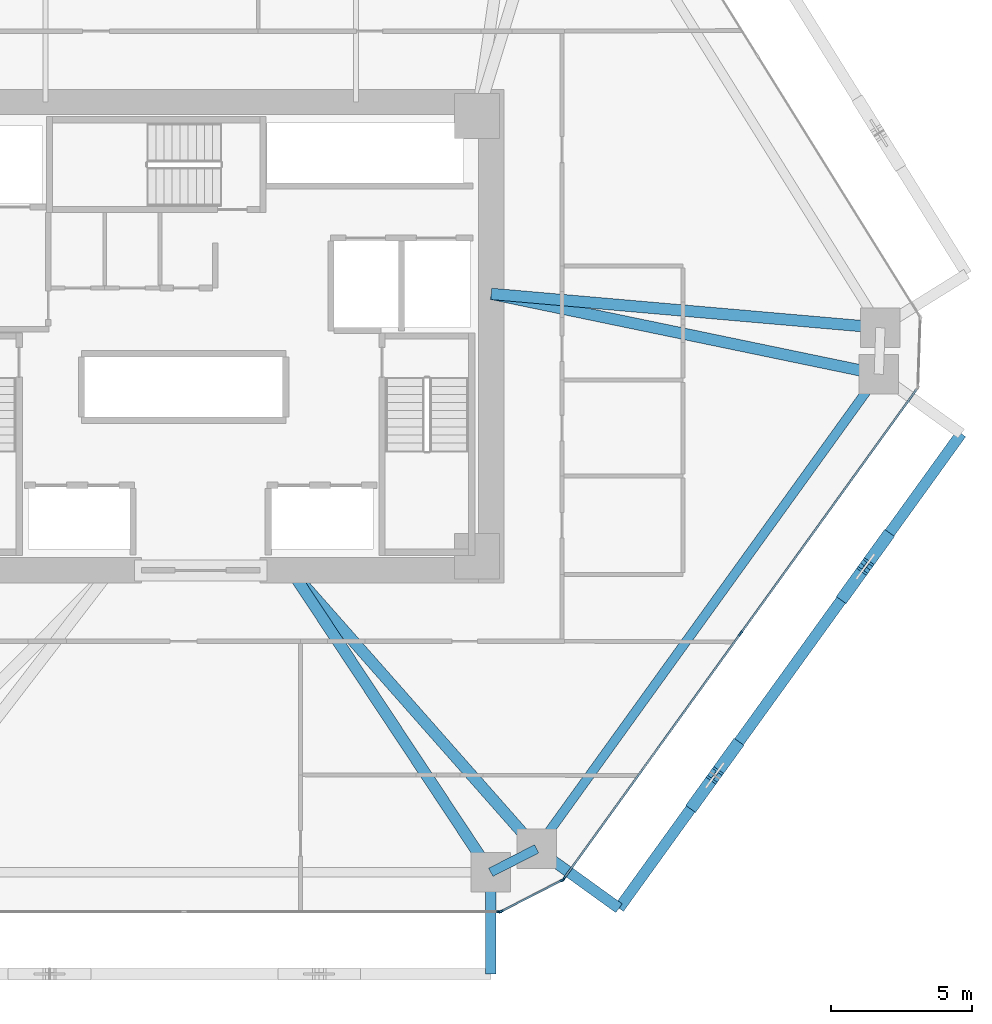
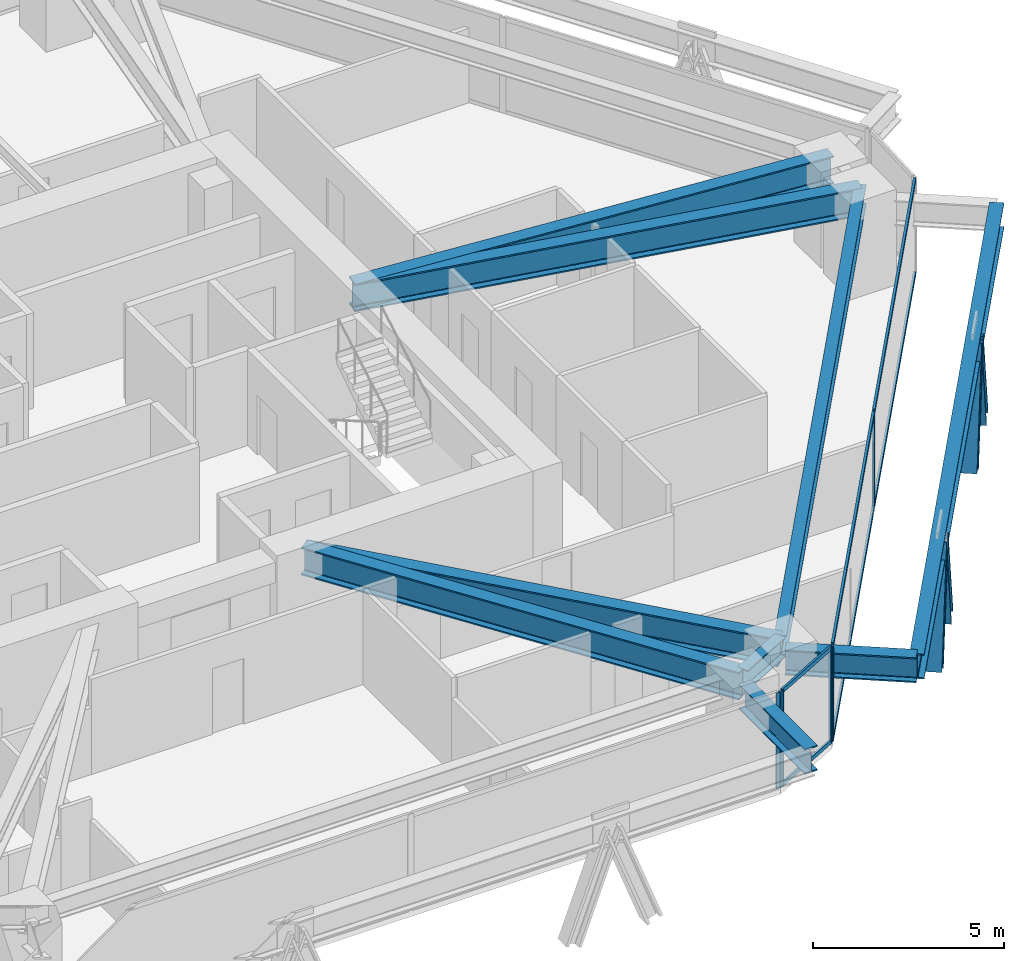
# One storey, part 5 of 17: 15 members, 9 beams, 3 elements without a shape of their own.
"""IFC4 building model written with IfcOpenShell, lengths in metres."""

import ifcopenshell
import ifcopenshell.guid

model = None  # the IFC model being written
_history = None  # IfcOwnerHistory: only IFC2X3 demands one
_inside = {}  # id of a spatial element -> (the spatial element, [elements in it])
_under = {}  # id of a project, library or spatial element -> (it, [spatial elements below it])
_declared = {}  # id of a project -> (the project, [libraries it declares])
_typed = {}  # id of a type object -> (the type object, [elements of that type])
_made_of = {}  # id of a material, layer set ... -> (it, [elements and type objects made of it])


def new_model(schema):
    """Start an empty IFC model of exactly this schema.

    Asked for "IFC4X3", IfcOpenShell would pick the latest addendum, in which some entities
    have other attributes; the version numbers below select the first issue.
    IFC2X3 requires an IfcOwnerHistory on every rooted entity: one is made here for all.
    """
    global model, _history
    if schema == "IFC4X3":
        model = ifcopenshell.file(schema_version=(4, 3, 0, 0))
    else:
        model = ifcopenshell.file(schema=schema)
    _inside.clear()
    _under.clear()
    _declared.clear()
    _typed.clear()
    _made_of.clear()
    _history = None
    if model.schema == "IFC2X3":
        org = make("IfcOrganization", Name="unknown")
        user = make(
            "IfcPersonAndOrganization",
            ThePerson=make("IfcPerson", FamilyName="unknown"),
            TheOrganization=org,
        )
        app = make(
            "IfcApplication",
            ApplicationDeveloper=org,
            Version="unknown",
            ApplicationFullName="unknown",
            ApplicationIdentifier="unknown",
        )
        _history = make(
            "IfcOwnerHistory",
            OwningUser=user,
            OwningApplication=app,
            ChangeAction="ADDED",
            CreationDate=0,
        )
    return model


def make(cls, **values):
    """One entity of the class cls with the attributes given. An attribute that is None is left unset."""
    return model.create_entity(
        cls, **{name: value for name, value in values.items() if value is not None}
    )


def rooted(cls, **values):
    """An entity with a GlobalId (a new one), such as an element, a storey or a relation."""
    return make(cls, GlobalId=ifcopenshell.guid.new(), OwnerHistory=_history, **values)


def si_unit(unit_type, name, prefix=None):
    """IfcSIUnit, for example si_unit("LENGTHUNIT", "METRE", prefix="MILLI")."""
    return make("IfcSIUnit", UnitType=unit_type, Prefix=prefix, Name=name)


def assignment(units):
    """IfcUnitAssignment: the units of a project."""
    return None if units is None else make("IfcUnitAssignment", Units=units)


def point(xyz):
    """IfcCartesianPoint."""
    return None if xyz is None else make("IfcCartesianPoint", Coordinates=xyz)


def direction(xyz):
    """IfcDirection."""
    return None if xyz is None else make("IfcDirection", DirectionRatios=xyz)


def frame(location, z_axis=None, x_axis=None):
    """IfcAxis2Placement3D, a coordinate frame: its origin and axes. An axis left out is left unset."""
    return make(
        "IfcAxis2Placement3D",
        Location=point(location),
        Axis=direction(z_axis),
        RefDirection=direction(x_axis),
    )


def frame_2d(location, x_axis=None):
    """IfcAxis2Placement2D, a coordinate frame in the plane: its origin and x axis."""
    return make(
        "IfcAxis2Placement2D", Location=point(location), RefDirection=direction(x_axis)
    )


def origin():
    """The frame at (0, 0, 0) with its axes left unset."""
    return frame((0.0, 0.0, 0.0))


def origin_2d():
    """The frame at (0, 0) in the plane with its x axis left unset."""
    return frame_2d((0.0, 0.0))


def place(relative_to, where):
    """IfcLocalPlacement: puts the frame where relative to a parent placement (None: the world)."""
    return make(
        "IfcLocalPlacement", PlacementRelTo=relative_to, RelativePlacement=where
    )


def context(
    kind, dimensions, precision=None, world=None, true_north=None, identifier=None
):
    """IfcGeometricRepresentationContext, for example the 3D "Model" context."""
    return make(
        "IfcGeometricRepresentationContext",
        ContextIdentifier=identifier,
        ContextType=kind,
        CoordinateSpaceDimension=dimensions,
        Precision=precision,
        WorldCoordinateSystem=world,
        TrueNorth=true_north,
    )


def subcontext(parent, identifier, kind, view, scale=None):
    """IfcGeometricRepresentationSubContext, for example "Body" below "Model"."""
    return make(
        "IfcGeometricRepresentationSubContext",
        ContextIdentifier=identifier,
        ContextType=kind,
        ParentContext=parent,
        TargetScale=scale,
        TargetView=view,
    )


def project(units=None, contexts=None):
    """IfcProject with its units and contexts."""
    return rooted(
        "IfcProject",
        Name="project",
        RepresentationContexts=contexts,
        UnitsInContext=assignment(units),
    )


def spatial(cls, under=None, at=None, **own):
    """A site, building, storey or space (cls), placed at a placement, below another one or the project."""
    s = rooted(cls, ObjectPlacement=at, **own)
    if under is not None:
        _under.setdefault(under.id(), (under, []))[1].append(s)
    return s


def profile(cls, at=None, kind="AREA", **sizes):
    """A parametric profile (cls). Its sizes go by their IFC names, for example OverallWidth=200.0."""
    return make(cls, ProfileType=kind, Position=at, **sizes)


def rectangle(**sizes):
    """IfcRectangleProfileDef."""
    return profile("IfcRectangleProfileDef", **sizes)


def i_section(**sizes):
    """IfcIShapeProfileDef."""
    return profile("IfcIShapeProfileDef", **sizes)


def extrude(swept, where, along, depth):
    """IfcExtrudedAreaSolid: the profile swept, set in the frame where, extruded along a direction by depth."""
    return make(
        "IfcExtrudedAreaSolid",
        SweptArea=swept,
        Position=where,
        ExtrudedDirection=direction(along),
        Depth=depth,
    )


def shape(context_of_items, identifier, shape_type, items):
    """IfcShapeRepresentation: the items that make up one representation, for example the "Body"."""
    return make(
        "IfcShapeRepresentation",
        ContextOfItems=context_of_items,
        RepresentationIdentifier=identifier,
        RepresentationType=shape_type,
        Items=items,
    )


def source(mapping_origin, context_of_items, identifier, shape_type, items):
    """IfcRepresentationMap: a shape defined once, which mapped items show again and again."""
    return make(
        "IfcRepresentationMap",
        MappingOrigin=mapping_origin,
        MappedRepresentation=shape(context_of_items, identifier, shape_type, items),
    )


def transform(
    local_origin,
    x_axis=None,
    y_axis=None,
    z_axis=None,
    scale=None,
    scale2=None,
    scale3=None,
    uniform=True,
):
    """IfcCartesianTransformationOperator3D, or its non-uniform kind. x_axis, y_axis, z_axis: its Axis1, 2, 3."""
    if uniform:
        return make(
            "IfcCartesianTransformationOperator3D",
            Axis1=direction(x_axis),
            Axis2=direction(y_axis),
            LocalOrigin=point(local_origin),
            Scale=scale,
            Axis3=direction(z_axis),
        )
    return make(
        "IfcCartesianTransformationOperator3DnonUniform",
        Axis1=direction(x_axis),
        Axis2=direction(y_axis),
        LocalOrigin=point(local_origin),
        Scale=scale,
        Axis3=direction(z_axis),
        Scale2=scale2,
        Scale3=scale3,
    )


def mapped(mapping_source, mapping_target):
    """IfcMappedItem: shows the shape of a source again, moved by a transform."""
    return make(
        "IfcMappedItem", MappingSource=mapping_source, MappingTarget=mapping_target
    )


def material(Name=None, Category=None):
    """IfcMaterial."""
    return make("IfcMaterial", Name=Name, Category=Category)


def layer(
    of_material, thickness, ventilated=None, Name=None, Category=None, Priority=None
):
    """IfcMaterialLayer: one layer of a wall or slab, of a material (None: an air gap)."""
    return make(
        "IfcMaterialLayer",
        Material=of_material,
        LayerThickness=thickness,
        IsVentilated=ventilated,
        Name=Name,
        Category=Category,
        Priority=Priority,
    )


def layer_set(layers, Name=None):
    """IfcMaterialLayerSet."""
    return make("IfcMaterialLayerSet", MaterialLayers=layers, LayerSetName=Name)


def material_profile(
    of_material, cross_section, Name=None, Category=None, Priority=None
):
    """IfcMaterialProfile: a cross section and its material."""
    return make(
        "IfcMaterialProfile",
        Name=Name,
        Material=of_material,
        Profile=cross_section,
        Priority=Priority,
        Category=Category,
    )


def profile_set(profiles, Name=None, composite=None):
    """IfcMaterialProfileSet."""
    return make(
        "IfcMaterialProfileSet",
        Name=Name,
        MaterialProfiles=profiles,
        CompositeProfile=composite,
    )


def made_of(thing, what):
    """Note that an element or type object is made of a material, layer set ...; save() writes the relation."""
    if what is not None:
        _made_of.setdefault(what.id(), (what, []))[1].append(thing)
    return thing


def type_object(cls, material=None, **own):
    """A type object (cls), such as IfcWallType, which elements share."""
    return made_of(rooted(cls, **own), material)


def type_shapes(of_type, sources):
    """Give a type object the sources (RepresentationMaps) that its elements show as mapped items."""
    of_type.RepresentationMaps = sources


def element(
    cls,
    number,
    at=None,
    inside=None,
    cuts=None,
    type_object=None,
    material=None,
    context=None,
    identifier="Body",
    shape_type=None,
    held_by="IfcProductDefinitionShape",
    body=None,
    shapes=None,
    **own,
):
    """One element of the class cls, such as IfcWall. Its Tag is "e" and its number.

    at: its placement. inside: the storey or other place that contains it. cuts: it is an
    opening in that element (IfcRelVoidsElement). A single representation is given by context,
    identifier, shape_type and body (its items); several are given by shapes. held_by: the class
    of the entity that holds the representations. save() writes the other relations.
    """
    e = rooted(cls, Tag="e%d" % number, ObjectPlacement=at, **own)
    if body is not None:
        shapes = [shape(context, identifier, shape_type, body)]
    if shapes is not None:
        e.Representation = make(held_by, Representations=shapes)
    if inside is not None:
        _inside.setdefault(inside.id(), (inside, []))[1].append(e)
    if cuts is not None:
        rooted(
            "IfcRelVoidsElement", RelatingBuildingElement=cuts, RelatedOpeningElement=e
        )
    if type_object is not None:
        _typed.setdefault(type_object.id(), (type_object, []))[1].append(e)
    return made_of(e, material)


def aggregate(whole, parts):
    """IfcRelAggregates: a whole, such as a stair, and the parts it consists of."""
    return rooted("IfcRelAggregates", RelatingObject=whole, RelatedObjects=parts)


def save(model, path):
    """Write the relations noted so far, then the file.

    IfcRelAggregates (storeys below a building ...), IfcRelContainedInSpatialStructure (elements
    in a storey), IfcRelDefinesByType, IfcRelAssociatesMaterial and IfcRelDeclares: one each for
    every whole, place, type object, material and project.
    """
    for whole, parts in _under.values():
        aggregate(whole, parts)
    for where, things in _inside.values():
        rooted(
            "IfcRelContainedInSpatialStructure",
            RelatedElements=things,
            RelatingStructure=where,
        )
    for kind, things in _typed.values():
        rooted("IfcRelDefinesByType", RelatedObjects=things, RelatingType=kind)
    for what, things in _made_of.values():
        rooted("IfcRelAssociatesMaterial", RelatedObjects=things, RelatingMaterial=what)
    for by, libraries in _declared.values():
        rooted("IfcRelDeclares", RelatingContext=by, RelatedDefinitions=libraries)
    model.write(path)


model = new_model("IFC4")

# Units and contexts
model_context = context("Model", 3, precision=1e-05, world=origin(), true_north=direction((0.0, 1.0)))
body_context = subcontext(model_context, "Body", "Model", "MODEL_VIEW")
ifc_project = project(units=[si_unit("LENGTHUNIT", "METRE"), si_unit("AREAUNIT", "SQUARE_METRE"), si_unit("VOLUMEUNIT", "CUBIC_METRE"), si_unit("PLANEANGLEUNIT", "RADIAN"), si_unit("MASSUNIT", "GRAM", prefix="KILO")], contexts=[model_context])

# Site, building, storey
site_placement = place(None, origin())
site = spatial("IfcSite", under=ifc_project, at=site_placement, CompositionType="ELEMENT")
building_placement = place(site_placement, origin())
building = spatial("IfcBuilding", under=site, at=building_placement, Name="Durnholm Broadcast Tower", CompositionType="ELEMENT")
storey_placement = place(building_placement, frame((0.0, 0.0, 52.199951171875)))
storey = spatial("IfcBuildingStorey", under=building, at=storey_placement, Name="L12", CompositionType="ELEMENT", Elevation=52.199951171875)

# Beams
ifc_material_1 = material(Name="Steel ASTM A992 Grade 50", Category="steel")
ifc_material_profile_1 = material_profile(ifc_material_1, i_section(OverallWidth=0.3291015625, OverallDepth=0.635009765625, WebThickness=0.017822265625, FlangeThickness=0.031005859375, FilletRadius=0.02783203125, at=origin_2d()), Name="W24X162")
ifc_profile_set_1 = profile_set([ifc_material_profile_1], Name="Steel ASTM A992 Grade 50")
beam_type_1 = type_object("IfcBeamType", Name="STL-SP-W24X162", PredefinedType="SPANDREL", material=ifc_profile_set_1)
shared_shape_1 = source(origin(), body_context, "Body", "SweptSolid", [
    extrude(i_section(OverallWidth=0.3291015625, OverallDepth=0.635009765625, WebThickness=0.017822265625, FlangeThickness=0.031005859375, FilletRadius=0.02783203125, at=origin_2d()), origin(), (0.0, 0.0, 1.0), 20.737060546875),
])
beam_1_placement = place(storey_placement, frame((24.034912109375, -1.347412109375, 2.7275390625), z_axis=(-0.584821933191, -0.811161701795, 0.0), x_axis=(0.811161701795, -0.584821933191, 0.0)))
element("IfcBeam", 1, at=beam_1_placement, inside=storey, type_object=beam_type_1, Name="L12 perimeter spandrel girder 09", PredefinedType="SPANDREL", context=body_context, shape_type="MappedRepresentation", body=[
    mapped(shared_shape_1, transform((0.0, 0.0, 0.0), x_axis=(1.0, 0.0, 0.0), y_axis=(0.0, 1.0, 0.0), z_axis=(0.0, 0.0, 1.0), scale=1.0)),
])
shared_shape_2 = source(origin(), body_context, "Body", "SweptSolid", [
    extrude(i_section(OverallWidth=0.3291015625, OverallDepth=0.635009765625, WebThickness=0.017822265625, FlangeThickness=0.031005859375, FilletRadius=0.02783203125, at=origin_2d()), origin(), (0.0, 0.0, 1.0), 1.8251953125),
])
type_shapes(beam_type_1, [shared_shape_1, shared_shape_2])
beam_2_placement = place(storey_placement, frame((11.907470703125, -18.16845703125, 2.7275390625), z_axis=(-0.890187609501, -0.455594139438, 0.0), x_axis=(0.455594139438, -0.890187609501, 0.0)))
element("IfcBeam", 2, at=beam_2_placement, inside=storey, type_object=beam_type_1, Name="L12 perimeter spandrel girder 10", PredefinedType="SPANDREL", context=body_context, shape_type="MappedRepresentation", body=[
    mapped(shared_shape_2, transform((0.0, 0.0, 0.0), x_axis=(1.0, 0.0, 0.0), y_axis=(0.0, 1.0, 0.0), z_axis=(0.0, 0.0, 1.0), scale=1.0)),
])
ifc_material_profile_2 = material_profile(ifc_material_1, i_section(OverallWidth=0.404052734375, OverallDepth=0.885009765625, WebThickness=0.0244140625, FlangeThickness=0.0439453125, FilletRadius=0.03564453125, at=origin_2d()), Name="W33X291")
ifc_profile_set_2 = profile_set([ifc_material_profile_2], Name="Steel ASTM A992 Grade 50")
beam_type_2 = type_object("IfcBeamType", Name="STL-GR-W33X291", PredefinedType="USERDEFINED", material=ifc_profile_set_2)
shared_shape_3 = source(origin(), body_context, "Body", "SweptSolid", [
    extrude(i_section(OverallWidth=0.404052734375, OverallDepth=0.885009765625, WebThickness=0.0244140625, FlangeThickness=0.0439453125, FilletRadius=0.03564453125, at=origin_2d()), origin(), (0.0, 0.0, 1.0), 13.843017578125),
])
beam_3_placement = place(storey_placement, frame((10.300048828125, 1.5, 2.6025390625), z_axis=(0.996234364864, -0.086701154915, 0.0), x_axis=(0.086701154915, 0.996234364864, 0.0)))
element("IfcBeam", 3, at=beam_3_placement, inside=storey, type_object=beam_type_2, Name="L12 radial primary floor girder 08", ObjectType="GIRDER", PredefinedType="USERDEFINED", context=body_context, shape_type="MappedRepresentation", body=[
    mapped(shared_shape_3, transform((0.0, 0.0, 0.0), x_axis=(1.0, 0.0, 0.0), y_axis=(0.0, 1.0, 0.0), z_axis=(0.0, 0.0, 1.0), scale=1.0)),
])
shared_shape_4 = source(origin(), body_context, "Body", "SweptSolid", [
    extrude(i_section(OverallWidth=0.404052734375, OverallDepth=0.885009765625, WebThickness=0.0244140625, FlangeThickness=0.0439453125, FilletRadius=0.03564453125, at=origin_2d()), origin(), (0.0, 0.0, 1.0), 14.02685546875),
])
beam_4_placement = place(storey_placement, frame((10.300048828125, 1.5, 2.6025390625), z_axis=(0.979179487914, -0.202996380382, 0.0), x_axis=(0.202996380382, 0.979179487914, 0.0)))
element("IfcBeam", 4, at=beam_4_placement, inside=storey, type_object=beam_type_2, Name="L12 radial primary floor girder 09", ObjectType="GIRDER", PredefinedType="USERDEFINED", context=body_context, shape_type="MappedRepresentation", body=[
    mapped(shared_shape_4, transform((0.0, 0.0, 0.0), x_axis=(1.0, 0.0, 0.0), y_axis=(0.0, 1.0, 0.0), z_axis=(0.0, 0.0, 1.0), scale=1.0)),
])
shared_shape_5 = source(origin(), body_context, "Body", "SweptSolid", [
    extrude(i_section(OverallWidth=0.404052734375, OverallDepth=0.885009765625, WebThickness=0.0244140625, FlangeThickness=0.0439453125, FilletRadius=0.03564453125, at=origin_2d()), origin(), (0.0, 0.0, 1.0), 13.160888671875),
])
beam_5_placement = place(storey_placement, frame((3.199951171875, -8.300048828125, 2.6025390625), z_axis=(0.661625931866, -0.749834065832, 0.0), x_axis=(0.749834065832, 0.661625931866, 0.0)))
element("IfcBeam", 5, at=beam_5_placement, inside=storey, type_object=beam_type_2, Name="L12 radial primary floor girder 10", ObjectType="GIRDER", PredefinedType="USERDEFINED", context=body_context, shape_type="MappedRepresentation", body=[
    mapped(shared_shape_5, transform((0.0, 0.0, 0.0), x_axis=(1.0, 0.0, 0.0), y_axis=(0.0, 1.0, 0.0), z_axis=(0.0, 0.0, 1.0), scale=1.0)),
])
shared_shape_6 = source(origin(), body_context, "Body", "SweptSolid", [
    extrude(i_section(OverallWidth=0.404052734375, OverallDepth=0.885009765625, WebThickness=0.0244140625, FlangeThickness=0.0439453125, FilletRadius=0.03564453125, at=origin_2d()), origin(), (0.0, 0.0, 1.0), 12.831787109375),
])
type_shapes(beam_type_2, [shared_shape_3, shared_shape_4, shared_shape_5, shared_shape_6])
beam_6_placement = place(storey_placement, frame((3.199951171875, -8.300048828125, 2.6025390625), z_axis=(0.551970609544, -0.833863565699, 0.0), x_axis=(0.833863565699, 0.551970609544, 0.0)))
element("IfcBeam", 6, at=beam_6_placement, inside=storey, type_object=beam_type_2, Name="L12 radial primary floor girder 11", ObjectType="GIRDER", PredefinedType="USERDEFINED", context=body_context, shape_type="MappedRepresentation", body=[
    mapped(shared_shape_6, transform((0.0, 0.0, 0.0), x_axis=(1.0, 0.0, 0.0), y_axis=(0.0, 1.0, 0.0), z_axis=(0.0, 0.0, 1.0), scale=1.0)),
])
ifc_material_profile_3 = material_profile(ifc_material_1, i_section(OverallWidth=0.385009765625, OverallDepth=0.802978515625, WebThickness=0.023681640625, FlangeThickness=0.0419921875, FilletRadius=0.032958984375, at=origin_2d()), Name="W30X261")
ifc_profile_set_3 = profile_set([ifc_material_profile_3], Name="Steel ASTM A992 Grade 50")
beam_type_3 = type_object("IfcBeamType", Name="BM-EXO-TIE", PredefinedType="USERDEFINED", material=ifc_profile_set_3)
shared_shape_7 = source(origin(), body_context, "Body", "SweptSolid", [
    extrude(i_section(OverallWidth=0.385009765625, OverallDepth=0.802978515625, WebThickness=0.023681640625, FlangeThickness=0.0419921875, FilletRadius=0.032958984375, at=origin_2d()), origin(), (0.0, 0.0, 1.0), 3.4560546875),
])
for number, where, z_axis, x_axis, name in (
    (7, (10.28271484375, -19.14404296875, 2.30859375), (0.0, -1.0, 0.0), (1.0, 0.0, 0.0), "L12 exoskeleton stand-off tie bracket F1.2"),
    (8, (12.024169921875, -18.252685546875, 2.30859375), (0.811157675106, -0.584827518262, 0.0), (0.584827518262, 0.811157675106, 0.0), "L12 exoskeleton stand-off tie bracket F2.1"),
):
    element("IfcBeam", number, at=place(storey_placement, frame(where, z_axis=z_axis, x_axis=x_axis)), inside=storey, type_object=beam_type_3, Name=name, ObjectType="GIRDER", PredefinedType="USERDEFINED", context=body_context, shape_type="MappedRepresentation", body=[
        mapped(shared_shape_7, transform((0.0, 0.0, 0.0), x_axis=(1.0, 0.0, 0.0), y_axis=(0.0, 1.0, 0.0), z_axis=(0.0, 0.0, 1.0), scale=1.0)),
    ])
shared_shape_8 = source(origin(), body_context, "Body", "SweptSolid", [
    extrude(i_section(OverallWidth=0.385009765625, OverallDepth=0.802978515625, WebThickness=0.023681640625, FlangeThickness=0.0419921875, FilletRadius=0.032958984375, at=origin_2d()), origin(), (0.0, 0.0, 1.0), 20.737060546875),
])
type_shapes(beam_type_3, [shared_shape_7, shared_shape_8])
beam_7_placement = place(storey_placement, frame((14.82763671875, -20.27392578125, 2.30859375), z_axis=(0.5848163482, 0.811165728368, 0.0), x_axis=(-0.811165728368, 0.5848163482, 0.0)))
element("IfcBeam", 9, at=beam_7_placement, inside=storey, type_object=beam_type_3, Name="L12 exoskeleton collector spandrel F2", PredefinedType="SPANDREL", context=body_context, shape_type="MappedRepresentation", body=[
    mapped(shared_shape_8, transform((0.0, 0.0, 0.0), x_axis=(1.0, 0.0, 0.0), y_axis=(0.0, 1.0, 0.0), z_axis=(0.0, 0.0, 1.0), scale=1.0)),
])

# Members
ifc_material_2 = material(Name="Steel ASTM A913 Grade 65", Category="steel")
ifc_material_profile_4 = material_profile(ifc_material_2, i_section(OverallWidth=0.43212890625, OverallDepth=0.497802734375, WebThickness=0.0556640625, FlangeThickness=0.0888671875, FilletRadius=0.030517578125, at=origin_2d()), Name="W14X500")
ifc_profile_set_4 = profile_set([ifc_material_profile_4], Name="Steel ASTM A913 Grade 65")
member_type_1 = type_object("IfcMemberType", Name="STL-DG-W14X500", PredefinedType="BRACE", material=ifc_profile_set_4)
shared_shape_9 = source(origin(), body_context, "Body", "SweptSolid", [
    extrude(i_section(OverallWidth=0.43212890625, OverallDepth=0.497802734375, WebThickness=0.0556640625, FlangeThickness=0.0888671875, FilletRadius=0.030517578125, at=origin_2d()), origin(), (0.0, 0.0, 1.0), 3.523193359375),
])
type_shapes(member_type_1, [shared_shape_9])
for number, where, z_axis, x_axis, name in (
    (10, (17.501708984375, -16.564697265625, -0.991455078125), (0.204839138341, 0.284044529113, 0.93667477434), (-0.81109123444, 0.58491966065, 0.0), "L12 stand-off diagrid brace F2.D1.1"),
    (11, (18.94482421875, -14.563232421875, -0.991455078125), (-0.20477274847, -0.284048560399, 0.936688068046), (0.811185111535, -0.584789461963, 0.0), "L12 stand-off diagrid brace F2.D1.2"),
    (12, (22.837890625, -9.163330078125, -0.991455078125), (0.204839138341, 0.284044529113, 0.93667477434), (-0.81109123444, 0.58491966065, 0.0), "L12 stand-off diagrid brace F2.D2.1"),
    (13, (24.281005859375, -7.161865234375, -0.991455078125), (-0.20477274847, -0.284048560399, 0.936688068046), (0.811185111535, -0.584789461963, 0.0), "L12 stand-off diagrid brace F2.D2.2"),
):
    element("IfcMember", number, at=place(storey_placement, frame(where, z_axis=z_axis, x_axis=x_axis)), inside=storey, type_object=member_type_1, Name=name, PredefinedType="BRACE", context=body_context, shape_type="MappedRepresentation", body=[
        mapped(shared_shape_9, transform((0.0, 0.0, 0.0), x_axis=(1.0, 0.0, 0.0), y_axis=(0.0, 1.0, 0.0), z_axis=(0.0, 0.0, 1.0), scale=1.0)),
    ])

# Curtain wall, members
ifc_material_3 = material(Name="Aluminium and Solar Control IGU", Category="aluminium")
ifc_layer_1 = layer(ifc_material_3, 0.1650390625)
ifc_layer_set_1 = layer_set([ifc_layer_1], Name="Aluminium and Solar Control IGU")
curtain_wall_type_1 = type_object("IfcCurtainWallType", Name="CW-SYS-5", PredefinedType="NOTDEFINED", material=ifc_layer_set_1)
curtain_wall_1_placement = place(storey_placement, origin())
curtain_wall_1 = element("IfcCurtainWall", 14, at=curtain_wall_1_placement, inside=storey, type_object=curtain_wall_type_1, Name="L12 curtain wall CW-CORNER CW-L12-CRN-09", PredefinedType="NOTDEFINED")
ifc_material_4 = material(Name="Aluminium 6063-T6", Category="aluminium")
ifc_material_profile_5 = material_profile(ifc_material_4, rectangle(XDim=0.06494140625, YDim=0.1650390625, at=origin_2d()), Name="CWM65X165")
ifc_profile_set_5 = profile_set([ifc_material_profile_5], Name="Aluminium 6063-T6")
member_type_2 = type_object("IfcMemberType", Name="CW-SYS-5-MUL", PredefinedType="MULLION", material=ifc_profile_set_5)
shared_shape_10 = source(origin(), body_context, "Body", "SweptSolid", [
    extrude(rectangle(XDim=0.06494140625, YDim=0.1650390625, at=origin_2d()), origin(), (0.0, 0.0, 1.0), 3.06005859375),
])
type_shapes(member_type_2, [shared_shape_10])
member_1_placement = place(storey_placement, frame((12.816650390625, -19.27587890625, 0.0), z_axis=(0.0, 0.0, 1.0), x_axis=(0.455593758406, -0.890187804512, 0.0)))
member_1 = element("IfcMember", 15, at=member_1_placement, type_object=member_type_2, Name="CW-CORNER mullion 1", PredefinedType="MULLION", context=body_context, shape_type="MappedRepresentation", body=[
    mapped(shared_shape_10, transform((0.0, 0.0, 0.0), x_axis=(1.0, 0.0, 0.0), y_axis=(0.0, 1.0, 0.0), z_axis=(0.0, 0.0, 1.0), scale=1.0)),
])
member_2_placement = place(storey_placement, frame((10.649169921875, -20.38525390625, 0.0), z_axis=(0.0, 0.0, 1.0), x_axis=(0.455593758406, -0.890187804512, 0.0)))
member_2 = element("IfcMember", 16, at=member_2_placement, type_object=member_type_2, Name="CW-CORNER mullion 2", PredefinedType="MULLION", context=body_context, shape_type="MappedRepresentation", body=[
    mapped(shared_shape_10, transform((0.0, 0.0, 0.0), x_axis=(1.0, 0.0, 0.0), y_axis=(0.0, 1.0, 0.0), z_axis=(0.0, 0.0, 1.0), scale=1.0)),
])
ifc_material_profile_6 = material_profile(ifc_material_4, rectangle(XDim=0.06494140625, YDim=0.1298828125, at=origin_2d()), Name="CWT65X130")
ifc_profile_set_6 = profile_set([ifc_material_profile_6], Name="Aluminium 6063-T6")
member_type_3 = type_object("IfcMemberType", Name="CW-SYS-5-TRN", PredefinedType="USERDEFINED", material=ifc_profile_set_6)
shared_shape_11 = source(origin(), body_context, "Body", "SweptSolid", [
    extrude(rectangle(XDim=0.06494140625, YDim=0.1298828125, at=origin_2d()), origin(), (0.0, 0.0, 1.0), 2.3701171875),
])
type_shapes(member_type_3, [shared_shape_11])
member_3_placement = place(storey_placement, frame((12.787841796875, -19.29052734375, 0.032470703125), z_axis=(-0.890185016934, -0.455599205033, 0.0), x_axis=(0.455599205033, -0.890185016934, 0.0)))
member_3 = element("IfcMember", 17, at=member_3_placement, type_object=member_type_3, Name="CW-CORNER transom 1.1", ObjectType="TRANSOM", PredefinedType="USERDEFINED", context=body_context, shape_type="MappedRepresentation", body=[
    mapped(shared_shape_11, transform((0.0, 0.0, 0.0), x_axis=(1.0, 0.0, 0.0), y_axis=(0.0, 1.0, 0.0), z_axis=(0.0, 0.0, 1.0), scale=1.0)),
])
member_4_placement = place(storey_placement, frame((12.787841796875, -19.29052734375, 3.027587890625), z_axis=(-0.890185016934, -0.455599205033, 0.0), x_axis=(0.455599205033, -0.890185016934, 0.0)))
member_4 = element("IfcMember", 18, at=member_4_placement, type_object=member_type_3, Name="CW-CORNER transom 1.2", ObjectType="TRANSOM", PredefinedType="USERDEFINED", context=body_context, shape_type="MappedRepresentation", body=[
    mapped(shared_shape_11, transform((0.0, 0.0, 0.0), x_axis=(1.0, 0.0, 0.0), y_axis=(0.0, 1.0, 0.0), z_axis=(0.0, 0.0, 1.0), scale=1.0)),
])
aggregate(curtain_wall_1, [member_1, member_2, member_3, member_4])

ifc_layer_2 = layer(ifc_material_3, 0.18994140625)
ifc_layer_set_2 = layer_set([ifc_layer_2], Name="Aluminium and Solar Control IGU")
curtain_wall_type_2 = type_object("IfcCurtainWallType", Name="CW-SYS-3", PredefinedType="NOTDEFINED", material=ifc_layer_set_2)
curtain_wall_2_placement = place(storey_placement, origin())
curtain_wall_2 = element("IfcCurtainWall", 19, at=curtain_wall_2_placement, inside=storey, type_object=curtain_wall_type_2, Name="L12 curtain wall CW-Z12-VIS CW-L12-F08", PredefinedType="NOTDEFINED")
ifc_material_profile_7 = material_profile(ifc_material_4, rectangle(XDim=0.070068359375, YDim=0.18994140625, at=origin_2d()), Name="CWM70X190")
ifc_profile_set_7 = profile_set([ifc_material_profile_7], Name="Aluminium 6063-T6")
member_type_4 = type_object("IfcMemberType", Name="CW-SYS-3-MUL", PredefinedType="MULLION", material=ifc_profile_set_7)
shared_shape_12 = source(origin(), body_context, "Body", "SweptSolid", [
    extrude(rectangle(XDim=0.070068359375, YDim=0.18994140625, at=origin_2d()), origin(), (0.0, 0.0, 1.0), 3.06005859375),
])
type_shapes(member_type_4, [shared_shape_12])
member_5_placement = place(storey_placement, frame((19.1328125, -10.540771484375, 0.0), z_axis=(0.0, 0.0, 1.0), x_axis=(0.81116057493, -0.584823496176, 0.0)))
member_5 = element("IfcMember", 20, at=member_5_placement, type_object=member_type_4, Name="CW-Z12-VIS mullion 2", PredefinedType="MULLION", context=body_context, shape_type="MappedRepresentation", body=[
    mapped(shared_shape_12, transform((0.0, 0.0, 0.0), x_axis=(1.0, 0.0, 0.0), y_axis=(0.0, 1.0, 0.0), z_axis=(0.0, 0.0, 1.0), scale=1.0)),
])
member_6_placement = place(storey_placement, frame((12.8662109375, -19.232666015625, 0.0), z_axis=(0.0, 0.0, 1.0), x_axis=(0.81116057493, -0.584823496176, 0.0)))
member_6 = element("IfcMember", 21, at=member_6_placement, type_object=member_type_4, Name="CW-Z12-VIS mullion 3", PredefinedType="MULLION", context=body_context, shape_type="MappedRepresentation", body=[
    mapped(shared_shape_12, transform((0.0, 0.0, 0.0), x_axis=(1.0, 0.0, 0.0), y_axis=(0.0, 1.0, 0.0), z_axis=(0.0, 0.0, 1.0), scale=1.0)),
])

# Curtain wall, member
curtain_wall_3_placement = place(storey_placement, origin())
curtain_wall_3 = element("IfcCurtainWall", 22, at=curtain_wall_3_placement, inside=storey, type_object=curtain_wall_type_2, Name="L12 curtain wall CW-Z12-VIS CW-L12-F10", PredefinedType="NOTDEFINED")
member_7_placement = place(storey_placement, frame((10.585205078125, -20.39990234375, 0.0), z_axis=(0.0, 0.0, 1.0), x_axis=(0.0, -1.0, 0.0)))
member_7 = element("IfcMember", 23, at=member_7_placement, type_object=member_type_4, Name="CW-Z12-VIS mullion 1", PredefinedType="MULLION", context=body_context, shape_type="MappedRepresentation", body=[
    mapped(shared_shape_12, transform((0.0, 0.0, 0.0), x_axis=(1.0, 0.0, 0.0), y_axis=(0.0, 1.0, 0.0), z_axis=(0.0, 0.0, 1.0), scale=1.0)),
])
aggregate(curtain_wall_3, [member_7])

# Member
ifc_material_profile_8 = material_profile(ifc_material_4, rectangle(XDim=0.070068359375, YDim=0.14990234375, at=origin_2d()), Name="CWT70X150")
ifc_profile_set_8 = profile_set([ifc_material_profile_8], Name="Aluminium 6063-T6")
member_type_5 = type_object("IfcMemberType", Name="CW-SYS-3-TRN", PredefinedType="USERDEFINED", material=ifc_profile_set_8)
shared_shape_13 = source(origin(), body_context, "Body", "SweptSolid", [
    extrude(rectangle(XDim=0.070068359375, YDim=0.14990234375, at=origin_2d()), origin(), (0.0, 0.0, 1.0), 10.6455078125),
])
member_8_placement = place(storey_placement, frame((25.37890625, -1.877197265625, 0.03515625), z_axis=(-0.584812103659, -0.811168788486, 0.0), x_axis=(0.811168788486, -0.584812103659, 0.0)))
member_8 = element("IfcMember", 24, at=member_8_placement, type_object=member_type_5, Name="CW-Z12-VIS transom 1.1", ObjectType="TRANSOM", PredefinedType="USERDEFINED", context=body_context, shape_type="MappedRepresentation", body=[
    mapped(shared_shape_13, transform((0.0, 0.0, 0.0), x_axis=(1.0, 0.0, 0.0), y_axis=(0.0, 1.0, 0.0), z_axis=(0.0, 0.0, 1.0), scale=1.0)),
])

member_9_placement = place(storey_placement, frame((25.37890625, -1.877197265625, 3.025146484375), z_axis=(-0.584812103659, -0.811168788486, 0.0), x_axis=(0.811168788486, -0.584812103659, 0.0)))
member_9 = element("IfcMember", 25, at=member_9_placement, type_object=member_type_5, Name="CW-Z12-VIS transom 1.2", ObjectType="TRANSOM", PredefinedType="USERDEFINED", context=body_context, shape_type="MappedRepresentation", body=[
    mapped(shared_shape_13, transform((0.0, 0.0, 0.0), x_axis=(1.0, 0.0, 0.0), y_axis=(0.0, 1.0, 0.0), z_axis=(0.0, 0.0, 1.0), scale=1.0)),
])

shared_shape_14 = source(origin(), body_context, "Body", "SweptSolid", [
    extrude(rectangle(XDim=0.070068359375, YDim=0.14990234375, at=origin_2d()), origin(), (0.0, 0.0, 1.0), 10.645263671875),
])
type_shapes(member_type_5, [shared_shape_13, shared_shape_14])
member_10_placement = place(storey_placement, frame((19.1123046875, -10.569091796875, 0.03515625), z_axis=(-0.584822983179, -0.811160944786, 0.0), x_axis=(0.811160944786, -0.584822983179, 0.0)))
member_10 = element("IfcMember", 26, at=member_10_placement, type_object=member_type_5, Name="CW-Z12-VIS transom 2.1", ObjectType="TRANSOM", PredefinedType="USERDEFINED", context=body_context, shape_type="MappedRepresentation", body=[
    mapped(shared_shape_14, transform((0.0, 0.0, 0.0), x_axis=(1.0, 0.0, 0.0), y_axis=(0.0, 1.0, 0.0), z_axis=(0.0, 0.0, 1.0), scale=1.0)),
])

member_11_placement = place(storey_placement, frame((19.1123046875, -10.569091796875, 3.025146484375), z_axis=(-0.584822983179, -0.811160944786, 0.0), x_axis=(0.811160944786, -0.584822983179, 0.0)))
member_11 = element("IfcMember", 27, at=member_11_placement, type_object=member_type_5, Name="CW-Z12-VIS transom 2.2", ObjectType="TRANSOM", PredefinedType="USERDEFINED", context=body_context, shape_type="MappedRepresentation", body=[
    mapped(shared_shape_14, transform((0.0, 0.0, 0.0), x_axis=(1.0, 0.0, 0.0), y_axis=(0.0, 1.0, 0.0), z_axis=(0.0, 0.0, 1.0), scale=1.0)),
])

aggregate(curtain_wall_2, [member_5, member_6, member_8, member_9, member_10, member_11])

save(model, "model.ifc")
